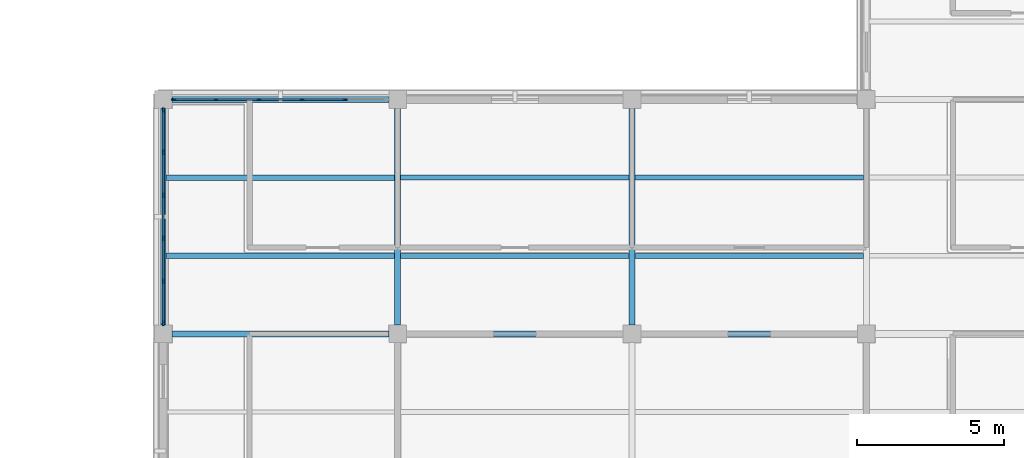
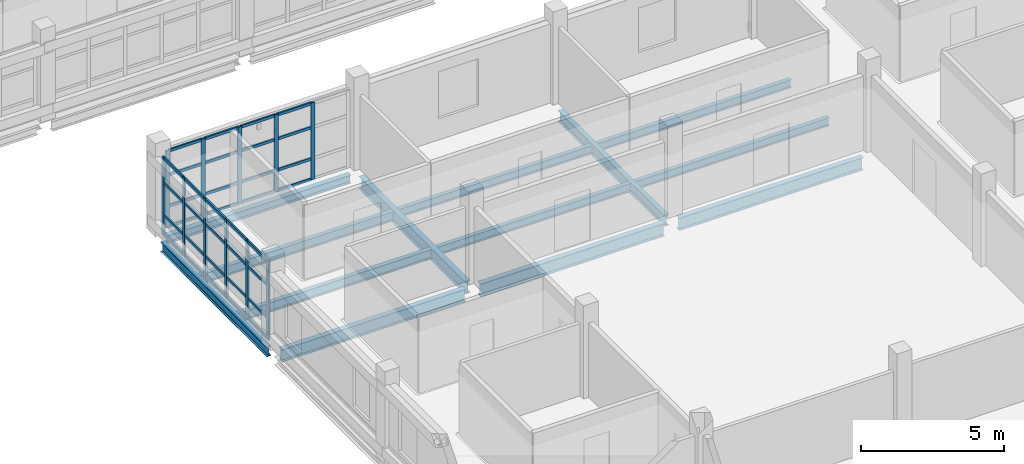
# One storey, part 49 of 126: 47 members, 13 beams, 2 elements without a shape of their own.
"""IFC4 building model written with IfcOpenShell, lengths in metres."""

import ifcopenshell
import ifcopenshell.guid

model = None  # the IFC model being written
_history = None  # IfcOwnerHistory: only IFC2X3 demands one
_inside = {}  # id of a spatial element -> (the spatial element, [elements in it])
_under = {}  # id of a project, library or spatial element -> (it, [spatial elements below it])
_declared = {}  # id of a project -> (the project, [libraries it declares])
_typed = {}  # id of a type object -> (the type object, [elements of that type])
_made_of = {}  # id of a material, layer set ... -> (it, [elements and type objects made of it])


def new_model(schema):
    """Start an empty IFC model of exactly this schema.

    Asked for "IFC4X3", IfcOpenShell would pick the latest addendum, in which some entities
    have other attributes; the version numbers below select the first issue.
    IFC2X3 requires an IfcOwnerHistory on every rooted entity: one is made here for all.
    """
    global model, _history
    if schema == "IFC4X3":
        model = ifcopenshell.file(schema_version=(4, 3, 0, 0))
    else:
        model = ifcopenshell.file(schema=schema)
    _inside.clear()
    _under.clear()
    _declared.clear()
    _typed.clear()
    _made_of.clear()
    _history = None
    if model.schema == "IFC2X3":
        org = make("IfcOrganization", Name="unknown")
        user = make(
            "IfcPersonAndOrganization",
            ThePerson=make("IfcPerson", FamilyName="unknown"),
            TheOrganization=org,
        )
        app = make(
            "IfcApplication",
            ApplicationDeveloper=org,
            Version="unknown",
            ApplicationFullName="unknown",
            ApplicationIdentifier="unknown",
        )
        _history = make(
            "IfcOwnerHistory",
            OwningUser=user,
            OwningApplication=app,
            ChangeAction="ADDED",
            CreationDate=0,
        )
    return model


def make(cls, **values):
    """One entity of the class cls with the attributes given. An attribute that is None is left unset."""
    return model.create_entity(
        cls, **{name: value for name, value in values.items() if value is not None}
    )


def rooted(cls, **values):
    """An entity with a GlobalId (a new one), such as an element, a storey or a relation."""
    return make(cls, GlobalId=ifcopenshell.guid.new(), OwnerHistory=_history, **values)


def si_unit(unit_type, name, prefix=None):
    """IfcSIUnit, for example si_unit("LENGTHUNIT", "METRE", prefix="MILLI")."""
    return make("IfcSIUnit", UnitType=unit_type, Prefix=prefix, Name=name)


def derived_unit(unit_type, elements):
    """IfcDerivedUnit: a product of units, each with its exponent."""
    return make(
        "IfcDerivedUnit",
        Elements=[
            make("IfcDerivedUnitElement", Unit=unit, Exponent=power)
            for unit, power in elements
        ],
        UnitType=unit_type,
    )


def assignment(units):
    """IfcUnitAssignment: the units of a project."""
    return None if units is None else make("IfcUnitAssignment", Units=units)


def point(xyz):
    """IfcCartesianPoint."""
    return None if xyz is None else make("IfcCartesianPoint", Coordinates=xyz)


def direction(xyz):
    """IfcDirection."""
    return None if xyz is None else make("IfcDirection", DirectionRatios=xyz)


def frame(location, z_axis=None, x_axis=None):
    """IfcAxis2Placement3D, a coordinate frame: its origin and axes. An axis left out is left unset."""
    return make(
        "IfcAxis2Placement3D",
        Location=point(location),
        Axis=direction(z_axis),
        RefDirection=direction(x_axis),
    )


def frame_2d(location, x_axis=None):
    """IfcAxis2Placement2D, a coordinate frame in the plane: its origin and x axis."""
    return make(
        "IfcAxis2Placement2D", Location=point(location), RefDirection=direction(x_axis)
    )


def origin():
    """The frame at (0, 0, 0) with its axes left unset."""
    return frame((0.0, 0.0, 0.0))


def origin_2d():
    """The frame at (0, 0) in the plane with its x axis left unset."""
    return frame_2d((0.0, 0.0))


def place(relative_to, where):
    """IfcLocalPlacement: puts the frame where relative to a parent placement (None: the world)."""
    return make(
        "IfcLocalPlacement", PlacementRelTo=relative_to, RelativePlacement=where
    )


def context(
    kind, dimensions, precision=None, world=None, true_north=None, identifier=None
):
    """IfcGeometricRepresentationContext, for example the 3D "Model" context."""
    return make(
        "IfcGeometricRepresentationContext",
        ContextIdentifier=identifier,
        ContextType=kind,
        CoordinateSpaceDimension=dimensions,
        Precision=precision,
        WorldCoordinateSystem=world,
        TrueNorth=true_north,
    )


def subcontext(parent, identifier, kind, view, scale=None):
    """IfcGeometricRepresentationSubContext, for example "Body" below "Model"."""
    return make(
        "IfcGeometricRepresentationSubContext",
        ContextIdentifier=identifier,
        ContextType=kind,
        ParentContext=parent,
        TargetScale=scale,
        TargetView=view,
    )


def project(units=None, contexts=None):
    """IfcProject with its units and contexts."""
    return rooted(
        "IfcProject",
        Name="project",
        RepresentationContexts=contexts,
        UnitsInContext=assignment(units),
    )


def spatial(cls, under=None, at=None, **own):
    """A site, building, storey or space (cls), placed at a placement, below another one or the project."""
    s = rooted(cls, ObjectPlacement=at, **own)
    if under is not None:
        _under.setdefault(under.id(), (under, []))[1].append(s)
    return s


def profile(cls, at=None, kind="AREA", **sizes):
    """A parametric profile (cls). Its sizes go by their IFC names, for example OverallWidth=200.0."""
    return make(cls, ProfileType=kind, Position=at, **sizes)


def rectangle(**sizes):
    """IfcRectangleProfileDef."""
    return profile("IfcRectangleProfileDef", **sizes)


def i_section(**sizes):
    """IfcIShapeProfileDef."""
    return profile("IfcIShapeProfileDef", **sizes)


def extrude(swept, where, along, depth):
    """IfcExtrudedAreaSolid: the profile swept, set in the frame where, extruded along a direction by depth."""
    return make(
        "IfcExtrudedAreaSolid",
        SweptArea=swept,
        Position=where,
        ExtrudedDirection=direction(along),
        Depth=depth,
    )


def shape(context_of_items, identifier, shape_type, items):
    """IfcShapeRepresentation: the items that make up one representation, for example the "Body"."""
    return make(
        "IfcShapeRepresentation",
        ContextOfItems=context_of_items,
        RepresentationIdentifier=identifier,
        RepresentationType=shape_type,
        Items=items,
    )


def material(Name=None, Category=None):
    """IfcMaterial."""
    return make("IfcMaterial", Name=Name, Category=Category)


def layer(
    of_material, thickness, ventilated=None, Name=None, Category=None, Priority=None
):
    """IfcMaterialLayer: one layer of a wall or slab, of a material (None: an air gap)."""
    return make(
        "IfcMaterialLayer",
        Material=of_material,
        LayerThickness=thickness,
        IsVentilated=ventilated,
        Name=Name,
        Category=Category,
        Priority=Priority,
    )


def layer_set(layers, Name=None):
    """IfcMaterialLayerSet."""
    return make("IfcMaterialLayerSet", MaterialLayers=layers, LayerSetName=Name)


def material_profile(
    of_material, cross_section, Name=None, Category=None, Priority=None
):
    """IfcMaterialProfile: a cross section and its material."""
    return make(
        "IfcMaterialProfile",
        Name=Name,
        Material=of_material,
        Profile=cross_section,
        Priority=Priority,
        Category=Category,
    )


def profile_set(profiles, Name=None, composite=None):
    """IfcMaterialProfileSet."""
    return make(
        "IfcMaterialProfileSet",
        Name=Name,
        MaterialProfiles=profiles,
        CompositeProfile=composite,
    )


def made_of(thing, what):
    """Note that an element or type object is made of a material, layer set ...; save() writes the relation."""
    if what is not None:
        _made_of.setdefault(what.id(), (what, []))[1].append(thing)
    return thing


def type_object(cls, material=None, **own):
    """A type object (cls), such as IfcWallType, which elements share."""
    return made_of(rooted(cls, **own), material)


def element(
    cls,
    number,
    at=None,
    inside=None,
    cuts=None,
    type_object=None,
    material=None,
    context=None,
    identifier="Body",
    shape_type=None,
    held_by="IfcProductDefinitionShape",
    body=None,
    shapes=None,
    **own,
):
    """One element of the class cls, such as IfcWall. Its Tag is "e" and its number.

    at: its placement. inside: the storey or other place that contains it. cuts: it is an
    opening in that element (IfcRelVoidsElement). A single representation is given by context,
    identifier, shape_type and body (its items); several are given by shapes. held_by: the class
    of the entity that holds the representations. save() writes the other relations.
    """
    e = rooted(cls, Tag="e%d" % number, ObjectPlacement=at, **own)
    if body is not None:
        shapes = [shape(context, identifier, shape_type, body)]
    if shapes is not None:
        e.Representation = make(held_by, Representations=shapes)
    if inside is not None:
        _inside.setdefault(inside.id(), (inside, []))[1].append(e)
    if cuts is not None:
        rooted(
            "IfcRelVoidsElement", RelatingBuildingElement=cuts, RelatedOpeningElement=e
        )
    if type_object is not None:
        _typed.setdefault(type_object.id(), (type_object, []))[1].append(e)
    return made_of(e, material)


def aggregate(whole, parts):
    """IfcRelAggregates: a whole, such as a stair, and the parts it consists of."""
    return rooted("IfcRelAggregates", RelatingObject=whole, RelatedObjects=parts)


def save(model, path):
    """Write the relations noted so far, then the file.

    IfcRelAggregates (storeys below a building ...), IfcRelContainedInSpatialStructure (elements
    in a storey), IfcRelDefinesByType, IfcRelAssociatesMaterial and IfcRelDeclares: one each for
    every whole, place, type object, material and project.
    """
    for whole, parts in _under.values():
        aggregate(whole, parts)
    for where, things in _inside.values():
        rooted(
            "IfcRelContainedInSpatialStructure",
            RelatedElements=things,
            RelatingStructure=where,
        )
    for kind, things in _typed.values():
        rooted("IfcRelDefinesByType", RelatedObjects=things, RelatingType=kind)
    for what, things in _made_of.values():
        rooted("IfcRelAssociatesMaterial", RelatedObjects=things, RelatingMaterial=what)
    for by, libraries in _declared.values():
        rooted("IfcRelDeclares", RelatingContext=by, RelatedDefinitions=libraries)
    model.write(path)


model = new_model("IFC4")

# Units and contexts
model_context = context("Model", 3, precision=1e-05, world=origin(), true_north=direction((0.0, 1.0)))
body_context = subcontext(model_context, "Body", "Model", "MODEL_VIEW")
ifc_project = project(units=[si_unit("LENGTHUNIT", "METRE"), si_unit("AREAUNIT", "SQUARE_METRE"), si_unit("VOLUMEUNIT", "CUBIC_METRE"), si_unit("PLANEANGLEUNIT", "RADIAN"), si_unit("MASSUNIT", "GRAM", prefix="KILO"), derived_unit("THERMALTRANSMITTANCEUNIT", [(si_unit("MASSUNIT", "GRAM", prefix="KILO"), 1), (si_unit("TIMEUNIT", "SECOND"), -3), (si_unit("THERMODYNAMICTEMPERATUREUNIT", "KELVIN"), -1)])], contexts=[model_context])

# Site, building, storey
site_placement = place(None, origin())
site = spatial("IfcSite", under=ifc_project, at=site_placement, CompositionType="ELEMENT")
building_placement = place(site_placement, origin())
building = spatial("IfcBuilding", under=site, at=building_placement, Name="Veyamyaing Civic Hall", CompositionType="ELEMENT")
storey_placement = place(building_placement, frame((0.0, 0.0, 9.89990234375)))
storey = spatial("IfcBuildingStorey", under=building, at=storey_placement, Name="L02", CompositionType="ELEMENT", Elevation=9.89990234375)

# Beams
ifc_material_1 = material(Name="Steel ASTM A992", Category="steel")
ifc_material_profile_1 = material_profile(ifc_material_1, i_section(OverallWidth=0.208984375, OverallDepth=0.532958984375, WebThickness=0.01025390625, FlangeThickness=0.015625, FilletRadius=0.011962890625, at=origin_2d()), Name="W530X92")
ifc_profile_set_1 = profile_set([ifc_material_profile_1], Name="Steel ASTM A992")
beam_type_1 = type_object("IfcBeamType", Name="B-07", PredefinedType="BEAM", material=ifc_profile_set_1)
beam_1_placement = place(storey_placement, frame((136.300048828125, 32.0, -0.551513671875), z_axis=(1.0, 0.0, 0.0), x_axis=(0.0, 1.0, 0.0)))
element("IfcBeam", 1, at=beam_1_placement, inside=storey, type_object=beam_type_1, Name="Girder B-07 L02 Grid E 18-19", PredefinedType="BEAM", context=body_context, shape_type="SweptSolid", body=[
    extrude(i_section(OverallWidth=0.208984375, OverallDepth=0.532958984375, WebThickness=0.01025390625, FlangeThickness=0.015625, FilletRadius=0.011962890625, at=origin_2d()), origin(), (0.0, 0.0, 1.0), 7.39990234375),
])
ifc_material_profile_2 = material_profile(ifc_material_1, i_section(OverallWidth=0.179931640625, OverallDepth=0.4130859375, WebThickness=0.009765625, FlangeThickness=0.01611328125, FilletRadius=0.010009765625, at=origin_2d()), Name="W410X74")
ifc_profile_set_2 = profile_set([ifc_material_profile_2], Name="Steel ASTM A992")
beam_type_2 = type_object("IfcBeamType", Name="B-10", PredefinedType="SPANDREL", material=ifc_profile_set_2)
beam_2_placement = place(storey_placement, frame((136.0, 32.300048828125, -0.491455078125), z_axis=(0.0, 1.0, 0.0), x_axis=(-1.0, 0.0, 0.0)))
element("IfcBeam", 2, at=beam_2_placement, inside=storey, type_object=beam_type_2, Name="Girder B-10 L02 Grid 18 E-F", PredefinedType="SPANDREL", context=body_context, shape_type="SweptSolid", body=[
    extrude(i_section(OverallWidth=0.179931640625, OverallDepth=0.4130859375, WebThickness=0.009765625, FlangeThickness=0.01611328125, FilletRadius=0.010009765625, at=origin_2d()), origin(), (0.0, 0.0, 1.0), 7.39990234375),
])
ifc_material_profile_3 = material_profile(ifc_material_1, i_section(OverallWidth=0.2041015625, OverallDepth=0.35009765625, WebThickness=0.0078125, FlangeThickness=0.01513671875, FilletRadius=0.010009765625, at=origin_2d()), Name="W360X72")
ifc_profile_set_3 = profile_set([ifc_material_profile_3], Name="Steel ASTM A992")
beam_type_3 = type_object("IfcBeamType", Name="B-11", PredefinedType="SPANDREL", material=ifc_profile_set_3)
beam_3_placement = place(storey_placement, frame((136.300048828125, 40.0, -0.4599609375), z_axis=(1.0, 0.0, 0.0), x_axis=(0.0, 1.0, 0.0)))
element("IfcBeam", 3, at=beam_3_placement, inside=storey, type_object=beam_type_3, Name="Girder B-11 L02 Grid F 18-19", PredefinedType="SPANDREL", context=body_context, shape_type="SweptSolid", body=[
    extrude(i_section(OverallWidth=0.2041015625, OverallDepth=0.35009765625, WebThickness=0.0078125, FlangeThickness=0.01513671875, FilletRadius=0.010009765625, at=origin_2d()), origin(), (0.0, 0.0, 1.0), 7.39990234375),
])
ifc_material_profile_4 = material_profile(ifc_material_1, i_section(OverallWidth=0.214111328125, OverallDepth=0.549072265625, WebThickness=0.0146484375, FlangeThickness=0.023681640625, FilletRadius=0.011962890625, at=origin_2d()), Name="W530X138")
ifc_profile_set_4 = profile_set([ifc_material_profile_4], Name="Steel ASTM A992")
beam_type_4 = type_object("IfcBeamType", Name="B-16", PredefinedType="BEAM", material=ifc_profile_set_4)
beam_4_placement = place(storey_placement, frame((144.300048828125, 32.0, -0.559326171875), z_axis=(1.0, 0.0, 0.0), x_axis=(0.0, 1.0, 0.0)))
element("IfcBeam", 4, at=beam_4_placement, inside=storey, type_object=beam_type_4, Name="Girder B-16 L02 Grid E 19-20", PredefinedType="BEAM", context=body_context, shape_type="SweptSolid", body=[
    extrude(i_section(OverallWidth=0.214111328125, OverallDepth=0.549072265625, WebThickness=0.0146484375, FlangeThickness=0.023681640625, FilletRadius=0.011962890625, at=origin_2d()), origin(), (0.0, 0.0, 1.0), 7.39990234375),
])
ifc_material_profile_5 = material_profile(ifc_material_1, i_section(OverallWidth=0.2109375, OverallDepth=0.5390625, WebThickness=0.01171875, FlangeThickness=0.018798828125, FilletRadius=0.011962890625, at=origin_2d()), Name="W530X109")
ifc_profile_set_5 = profile_set([ifc_material_profile_5], Name="Steel ASTM A992")
beam_type_5 = type_object("IfcBeamType", Name="B-17", PredefinedType="BEAM", material=ifc_profile_set_5)
for number, where, z_axis, x_axis, name in (
    (5, (152.300048828125, 32.0, -0.554443359375), (1.0, 0.0, 0.0), (0.0, 1.0, 0.0), "Girder B-17 L02 Grid E 20-21"),
    (6, (144.0, 32.300048828125, -0.554443359375), (0.0, 1.0, 0.0), (-1.0, 0.0, 0.0), "Girder B-17 L02 Grid 19 E-F"),
):
    element("IfcBeam", number, at=place(storey_placement, frame(where, z_axis=z_axis, x_axis=x_axis)), inside=storey, type_object=beam_type_5, Name=name, PredefinedType="BEAM", context=body_context, shape_type="SweptSolid", body=[
        extrude(i_section(OverallWidth=0.2109375, OverallDepth=0.5390625, WebThickness=0.01171875, FlangeThickness=0.018798828125, FilletRadius=0.011962890625, at=origin_2d()), origin(), (0.0, 0.0, 1.0), 7.39990234375),
    ])
ifc_material_profile_6 = material_profile(ifc_material_1, i_section(OverallWidth=0.194091796875, OverallDepth=0.468994140625, WebThickness=0.0126953125, FlangeThickness=0.0205078125, FilletRadius=0.010009765625, at=origin_2d()), Name="W460X106")
ifc_profile_set_6 = profile_set([ifc_material_profile_6], Name="Steel ASTM A992")
beam_type_6 = type_object("IfcBeamType", Name="B-18", PredefinedType="BEAM", material=ifc_profile_set_6)
beam_5_placement = place(storey_placement, frame((152.0, 32.300048828125, -0.519287109375), z_axis=(0.0, 1.0, 0.0), x_axis=(-1.0, 0.0, 0.0)))
element("IfcBeam", 7, at=beam_5_placement, inside=storey, type_object=beam_type_6, Name="Girder B-18 L02 Grid 20 E-F", PredefinedType="BEAM", context=body_context, shape_type="SweptSolid", body=[
    extrude(i_section(OverallWidth=0.194091796875, OverallDepth=0.468994140625, WebThickness=0.0126953125, FlangeThickness=0.0205078125, FilletRadius=0.010009765625, at=origin_2d()), origin(), (0.0, 0.0, 1.0), 7.39990234375),
])

# Curtain wall, members
ifc_material_2 = material(Name="Anodised aluminium 6063-T6", Category="aluminium")
ifc_layer = layer(ifc_material_2, 0.159912109375, Name="Anodised aluminium 6063-T6")
ifc_layer_set = layer_set([ifc_layer], Name="Anodised aluminium 6063-T6")
curtain_wall_type = type_object("IfcCurtainWallType", Name="CW-03", PredefinedType="NOTDEFINED", material=ifc_layer_set)
curtain_wall_1_placement = place(storey_placement, origin())
curtain_wall_1 = element("IfcCurtainWall", 8, at=curtain_wall_1_placement, inside=storey, type_object=curtain_wall_type, Name="Unitized curtain wall CW-03 L02 N 18.5", PredefinedType="NOTDEFINED")
ifc_material_profile_7 = material_profile(ifc_material_2, rectangle(XDim=0.06494140625, YDim=0.159912109375, at=origin_2d()), Name="ALU-MUL-65X160")
ifc_profile_set_7 = profile_set([ifc_material_profile_7], Name="Anodised aluminium 6063-T6")
member_type_1 = type_object("IfcMemberType", Name="CWM-01", PredefinedType="MULLION", material=ifc_profile_set_7)
member_1_placement = place(storey_placement, frame((136.362548828125, 40.0, 0.0), z_axis=(0.0, 0.0, 1.0), x_axis=(0.0, 1.0, 0.0)))
member_1 = element("IfcMember", 9, at=member_1_placement, type_object=member_type_1, Name="CW-03 mullion 1", PredefinedType="MULLION", context=body_context, shape_type="SweptSolid", body=[
    extrude(rectangle(XDim=0.06494140625, YDim=0.159912109375, at=origin_2d()), origin(), (0.0, 0.0, 1.0), 3.280029296875),
])
member_2_placement = place(storey_placement, frame((137.798095703125, 40.0, 0.0), z_axis=(0.0, 0.0, 1.0), x_axis=(0.0, 1.0, 0.0)))
member_2 = element("IfcMember", 10, at=member_2_placement, type_object=member_type_1, Name="CW-03 mullion 2", PredefinedType="MULLION", context=body_context, shape_type="SweptSolid", body=[
    extrude(rectangle(XDim=0.06494140625, YDim=0.159912109375, at=origin_2d()), origin(), (0.0, 0.0, 1.0), 3.280029296875),
])
member_3_placement = place(storey_placement, frame((139.26611328125, 40.0, 0.0), z_axis=(0.0, 0.0, 1.0), x_axis=(0.0, 1.0, 0.0)))
member_3 = element("IfcMember", 11, at=member_3_placement, type_object=member_type_1, Name="CW-03 mullion 3", PredefinedType="MULLION", context=body_context, shape_type="SweptSolid", body=[
    extrude(rectangle(XDim=0.06494140625, YDim=0.159912109375, at=origin_2d()), origin(), (0.0, 0.0, 1.0), 3.280029296875),
])
member_4_placement = place(storey_placement, frame((140.73388671875, 40.0, 0.0), z_axis=(0.0, 0.0, 1.0), x_axis=(0.0, 1.0, 0.0)))
member_4 = element("IfcMember", 12, at=member_4_placement, type_object=member_type_1, Name="CW-03 mullion 4", PredefinedType="MULLION", context=body_context, shape_type="SweptSolid", body=[
    extrude(rectangle(XDim=0.06494140625, YDim=0.159912109375, at=origin_2d()), origin(), (0.0, 0.0, 1.0), 3.280029296875),
])
member_5_placement = place(storey_placement, frame((142.201904296875, 40.0, 0.0), z_axis=(0.0, 0.0, 1.0), x_axis=(0.0, 1.0, 0.0)))
member_5 = element("IfcMember", 13, at=member_5_placement, type_object=member_type_1, Name="CW-03 mullion 5", PredefinedType="MULLION", context=body_context, shape_type="SweptSolid", body=[
    extrude(rectangle(XDim=0.06494140625, YDim=0.159912109375, at=origin_2d()), origin(), (0.0, 0.0, 1.0), 3.280029296875),
])

curtain_wall_2_placement = place(storey_placement, origin())
curtain_wall_2 = element("IfcCurtainWall", 14, at=curtain_wall_2_placement, inside=storey, type_object=curtain_wall_type, Name="Unitized curtain wall CW-03 L02 W 18.5", PredefinedType="NOTDEFINED")
member_6_placement = place(storey_placement, frame((136.0, 32.362548828125, 0.0), z_axis=(0.0, 0.0, 1.0), x_axis=(-1.0, 0.0, 0.0)))
member_6 = element("IfcMember", 15, at=member_6_placement, type_object=member_type_1, Name="CW-03 mullion 1", PredefinedType="MULLION", context=body_context, shape_type="SweptSolid", body=[
    extrude(rectangle(XDim=0.06494140625, YDim=0.159912109375, at=origin_2d()), origin(), (0.0, 0.0, 1.0), 3.34716796875),
])
member_7_placement = place(storey_placement, frame((136.0, 33.798095703125, 0.0), z_axis=(0.0, 0.0, 1.0), x_axis=(-1.0, 0.0, 0.0)))
member_7 = element("IfcMember", 16, at=member_7_placement, type_object=member_type_1, Name="CW-03 mullion 2", PredefinedType="MULLION", context=body_context, shape_type="SweptSolid", body=[
    extrude(rectangle(XDim=0.06494140625, YDim=0.159912109375, at=origin_2d()), origin(), (0.0, 0.0, 1.0), 3.34716796875),
])
member_8_placement = place(storey_placement, frame((136.0, 35.26611328125, 0.0), z_axis=(0.0, 0.0, 1.0), x_axis=(-1.0, 0.0, 0.0)))
member_8 = element("IfcMember", 17, at=member_8_placement, type_object=member_type_1, Name="CW-03 mullion 3", PredefinedType="MULLION", context=body_context, shape_type="SweptSolid", body=[
    extrude(rectangle(XDim=0.06494140625, YDim=0.159912109375, at=origin_2d()), origin(), (0.0, 0.0, 1.0), 3.34716796875),
])
member_9_placement = place(storey_placement, frame((136.0, 36.73388671875, 0.0), z_axis=(0.0, 0.0, 1.0), x_axis=(-1.0, 0.0, 0.0)))
member_9 = element("IfcMember", 18, at=member_9_placement, type_object=member_type_1, Name="CW-03 mullion 4", PredefinedType="MULLION", context=body_context, shape_type="SweptSolid", body=[
    extrude(rectangle(XDim=0.06494140625, YDim=0.159912109375, at=origin_2d()), origin(), (0.0, 0.0, 1.0), 3.34716796875),
])
member_10_placement = place(storey_placement, frame((136.0, 38.201904296875, 0.0), z_axis=(0.0, 0.0, 1.0), x_axis=(-1.0, 0.0, 0.0)))
member_10 = element("IfcMember", 19, at=member_10_placement, type_object=member_type_1, Name="CW-03 mullion 5", PredefinedType="MULLION", context=body_context, shape_type="SweptSolid", body=[
    extrude(rectangle(XDim=0.06494140625, YDim=0.159912109375, at=origin_2d()), origin(), (0.0, 0.0, 1.0), 3.34716796875),
])
member_11_placement = place(storey_placement, frame((136.0, 39.637451171875, 0.0), z_axis=(0.0, 0.0, 1.0), x_axis=(-1.0, 0.0, 0.0)))
member_11 = element("IfcMember", 20, at=member_11_placement, type_object=member_type_1, Name="CW-03 mullion 6", PredefinedType="MULLION", context=body_context, shape_type="SweptSolid", body=[
    extrude(rectangle(XDim=0.06494140625, YDim=0.159912109375, at=origin_2d()), origin(), (0.0, 0.0, 1.0), 3.34716796875),
])

# Member
ifc_material_profile_8 = material_profile(ifc_material_2, rectangle(XDim=0.06494140625, YDim=0.1201171875, at=origin_2d()), Name="ALU-TRN-65X120")
ifc_profile_set_8 = profile_set([ifc_material_profile_8], Name="Anodised aluminium 6063-T6")
member_type_2 = type_object("IfcMemberType", Name="CWT-01", PredefinedType="USERDEFINED", material=ifc_profile_set_8)
member_12_placement = place(storey_placement, frame((136.39501953125, 40.0, 0.03271484375), z_axis=(1.0, 0.0, 0.0), x_axis=(0.0, 1.0, 0.0)))
member_12 = element("IfcMember", 21, at=member_12_placement, type_object=member_type_2, Name="CW-03 transom 1.1", ObjectType="TRANSOM", PredefinedType="USERDEFINED", context=body_context, shape_type="SweptSolid", body=[
    extrude(rectangle(XDim=0.06494140625, YDim=0.1201171875, at=origin_2d()), origin(), (0.0, 0.0, 1.0), 1.370361328125),
])

member_13_placement = place(storey_placement, frame((136.39501953125, 40.0, 0.900146484375), z_axis=(1.0, 0.0, 0.0), x_axis=(0.0, 1.0, 0.0)))
member_13 = element("IfcMember", 22, at=member_13_placement, type_object=member_type_2, Name="CW-03 transom 1.2", ObjectType="TRANSOM", PredefinedType="USERDEFINED", context=body_context, shape_type="SweptSolid", body=[
    extrude(rectangle(XDim=0.06494140625, YDim=0.1201171875, at=origin_2d()), origin(), (0.0, 0.0, 1.0), 1.370361328125),
])

member_14_placement = place(storey_placement, frame((136.39501953125, 40.0, 2.23046875), z_axis=(1.0, 0.0, 0.0), x_axis=(0.0, 1.0, 0.0)))
member_14 = element("IfcMember", 23, at=member_14_placement, type_object=member_type_2, Name="CW-03 transom 1.3", ObjectType="TRANSOM", PredefinedType="USERDEFINED", context=body_context, shape_type="SweptSolid", body=[
    extrude(rectangle(XDim=0.06494140625, YDim=0.1201171875, at=origin_2d()), origin(), (0.0, 0.0, 1.0), 1.370361328125),
])

member_15_placement = place(storey_placement, frame((136.39501953125, 40.0, 3.24755859375), z_axis=(1.0, 0.0, 0.0), x_axis=(0.0, 1.0, 0.0)))
member_15 = element("IfcMember", 24, at=member_15_placement, type_object=member_type_2, Name="CW-03 transom 1.4", ObjectType="TRANSOM", PredefinedType="USERDEFINED", context=body_context, shape_type="SweptSolid", body=[
    extrude(rectangle(XDim=0.06494140625, YDim=0.1201171875, at=origin_2d()), origin(), (0.0, 0.0, 1.0), 1.370361328125),
])

member_16_placement = place(storey_placement, frame((137.83056640625, 40.0, 0.03271484375), z_axis=(1.0, 0.0, 0.0), x_axis=(0.0, 1.0, 0.0)))
member_16 = element("IfcMember", 25, at=member_16_placement, type_object=member_type_2, Name="CW-03 transom 2.1", ObjectType="TRANSOM", PredefinedType="USERDEFINED", context=body_context, shape_type="SweptSolid", body=[
    extrude(rectangle(XDim=0.06494140625, YDim=0.1201171875, at=origin_2d()), origin(), (0.0, 0.0, 1.0), 1.40283203125),
])

member_17_placement = place(storey_placement, frame((137.83056640625, 40.0, 0.900146484375), z_axis=(1.0, 0.0, 0.0), x_axis=(0.0, 1.0, 0.0)))
member_17 = element("IfcMember", 26, at=member_17_placement, type_object=member_type_2, Name="CW-03 transom 2.2", ObjectType="TRANSOM", PredefinedType="USERDEFINED", context=body_context, shape_type="SweptSolid", body=[
    extrude(rectangle(XDim=0.06494140625, YDim=0.1201171875, at=origin_2d()), origin(), (0.0, 0.0, 1.0), 1.40283203125),
])

member_18_placement = place(storey_placement, frame((137.83056640625, 40.0, 2.23046875), z_axis=(1.0, 0.0, 0.0), x_axis=(0.0, 1.0, 0.0)))
member_18 = element("IfcMember", 27, at=member_18_placement, type_object=member_type_2, Name="CW-03 transom 2.3", ObjectType="TRANSOM", PredefinedType="USERDEFINED", context=body_context, shape_type="SweptSolid", body=[
    extrude(rectangle(XDim=0.06494140625, YDim=0.1201171875, at=origin_2d()), origin(), (0.0, 0.0, 1.0), 1.40283203125),
])

member_19_placement = place(storey_placement, frame((137.83056640625, 40.0, 3.24755859375), z_axis=(1.0, 0.0, 0.0), x_axis=(0.0, 1.0, 0.0)))
member_19 = element("IfcMember", 28, at=member_19_placement, type_object=member_type_2, Name="CW-03 transom 2.4", ObjectType="TRANSOM", PredefinedType="USERDEFINED", context=body_context, shape_type="SweptSolid", body=[
    extrude(rectangle(XDim=0.06494140625, YDim=0.1201171875, at=origin_2d()), origin(), (0.0, 0.0, 1.0), 1.40283203125),
])

member_20_placement = place(storey_placement, frame((139.298583984375, 40.0, 0.03271484375), z_axis=(1.0, 0.0, 0.0), x_axis=(0.0, 1.0, 0.0)))
member_20 = element("IfcMember", 29, at=member_20_placement, type_object=member_type_2, Name="CW-03 transom 3.1", ObjectType="TRANSOM", PredefinedType="USERDEFINED", context=body_context, shape_type="SweptSolid", body=[
    extrude(rectangle(XDim=0.06494140625, YDim=0.1201171875, at=origin_2d()), origin(), (0.0, 0.0, 1.0), 1.40283203125),
])

member_21_placement = place(storey_placement, frame((139.298583984375, 40.0, 0.900146484375), z_axis=(1.0, 0.0, 0.0), x_axis=(0.0, 1.0, 0.0)))
member_21 = element("IfcMember", 30, at=member_21_placement, type_object=member_type_2, Name="CW-03 transom 3.2", ObjectType="TRANSOM", PredefinedType="USERDEFINED", context=body_context, shape_type="SweptSolid", body=[
    extrude(rectangle(XDim=0.06494140625, YDim=0.1201171875, at=origin_2d()), origin(), (0.0, 0.0, 1.0), 1.40283203125),
])

member_22_placement = place(storey_placement, frame((139.298583984375, 40.0, 2.23046875), z_axis=(1.0, 0.0, 0.0), x_axis=(0.0, 1.0, 0.0)))
member_22 = element("IfcMember", 31, at=member_22_placement, type_object=member_type_2, Name="CW-03 transom 3.3", ObjectType="TRANSOM", PredefinedType="USERDEFINED", context=body_context, shape_type="SweptSolid", body=[
    extrude(rectangle(XDim=0.06494140625, YDim=0.1201171875, at=origin_2d()), origin(), (0.0, 0.0, 1.0), 1.40283203125),
])

member_23_placement = place(storey_placement, frame((139.298583984375, 40.0, 3.24755859375), z_axis=(1.0, 0.0, 0.0), x_axis=(0.0, 1.0, 0.0)))
member_23 = element("IfcMember", 32, at=member_23_placement, type_object=member_type_2, Name="CW-03 transom 3.4", ObjectType="TRANSOM", PredefinedType="USERDEFINED", context=body_context, shape_type="SweptSolid", body=[
    extrude(rectangle(XDim=0.06494140625, YDim=0.1201171875, at=origin_2d()), origin(), (0.0, 0.0, 1.0), 1.40283203125),
])

member_24_placement = place(storey_placement, frame((140.7666015625, 40.0, 0.03271484375), z_axis=(1.0, 0.0, 0.0), x_axis=(0.0, 1.0, 0.0)))
member_24 = element("IfcMember", 33, at=member_24_placement, type_object=member_type_2, Name="CW-03 transom 4.1", ObjectType="TRANSOM", PredefinedType="USERDEFINED", context=body_context, shape_type="SweptSolid", body=[
    extrude(rectangle(XDim=0.06494140625, YDim=0.1201171875, at=origin_2d()), origin(), (0.0, 0.0, 1.0), 1.40283203125),
])

member_25_placement = place(storey_placement, frame((140.7666015625, 40.0, 0.900146484375), z_axis=(1.0, 0.0, 0.0), x_axis=(0.0, 1.0, 0.0)))
member_25 = element("IfcMember", 34, at=member_25_placement, type_object=member_type_2, Name="CW-03 transom 4.2", ObjectType="TRANSOM", PredefinedType="USERDEFINED", context=body_context, shape_type="SweptSolid", body=[
    extrude(rectangle(XDim=0.06494140625, YDim=0.1201171875, at=origin_2d()), origin(), (0.0, 0.0, 1.0), 1.40283203125),
])

member_26_placement = place(storey_placement, frame((140.7666015625, 40.0, 2.23046875), z_axis=(1.0, 0.0, 0.0), x_axis=(0.0, 1.0, 0.0)))
member_26 = element("IfcMember", 35, at=member_26_placement, type_object=member_type_2, Name="CW-03 transom 4.3", ObjectType="TRANSOM", PredefinedType="USERDEFINED", context=body_context, shape_type="SweptSolid", body=[
    extrude(rectangle(XDim=0.06494140625, YDim=0.1201171875, at=origin_2d()), origin(), (0.0, 0.0, 1.0), 1.40283203125),
])

member_27_placement = place(storey_placement, frame((140.7666015625, 40.0, 3.24755859375), z_axis=(1.0, 0.0, 0.0), x_axis=(0.0, 1.0, 0.0)))
member_27 = element("IfcMember", 36, at=member_27_placement, type_object=member_type_2, Name="CW-03 transom 4.4", ObjectType="TRANSOM", PredefinedType="USERDEFINED", context=body_context, shape_type="SweptSolid", body=[
    extrude(rectangle(XDim=0.06494140625, YDim=0.1201171875, at=origin_2d()), origin(), (0.0, 0.0, 1.0), 1.40283203125),
])

aggregate(curtain_wall_1, [member_1, member_2, member_3, member_4, member_5, member_12, member_13, member_14, member_15, member_16, member_17, member_18, member_19, member_20, member_21, member_22, member_23, member_24, member_25, member_26, member_27])

member_28_placement = place(storey_placement, frame((136.0, 32.39501953125, 0.03271484375), z_axis=(0.0, 1.0, 0.0), x_axis=(-1.0, 0.0, 0.0)))
member_28 = element("IfcMember", 37, at=member_28_placement, type_object=member_type_2, Name="CW-03 transom 1.1", ObjectType="TRANSOM", PredefinedType="USERDEFINED", context=body_context, shape_type="SweptSolid", body=[
    extrude(rectangle(XDim=0.06494140625, YDim=0.1201171875, at=origin_2d()), origin(), (0.0, 0.0, 1.0), 1.370361328125),
])

member_29_placement = place(storey_placement, frame((136.0, 32.39501953125, 0.900146484375), z_axis=(0.0, 1.0, 0.0), x_axis=(-1.0, 0.0, 0.0)))
member_29 = element("IfcMember", 38, at=member_29_placement, type_object=member_type_2, Name="CW-03 transom 1.2", ObjectType="TRANSOM", PredefinedType="USERDEFINED", context=body_context, shape_type="SweptSolid", body=[
    extrude(rectangle(XDim=0.06494140625, YDim=0.1201171875, at=origin_2d()), origin(), (0.0, 0.0, 1.0), 1.370361328125),
])

member_30_placement = place(storey_placement, frame((136.0, 32.39501953125, 2.276123046875), z_axis=(0.0, 1.0, 0.0), x_axis=(-1.0, 0.0, 0.0)))
member_30 = element("IfcMember", 39, at=member_30_placement, type_object=member_type_2, Name="CW-03 transom 1.3", ObjectType="TRANSOM", PredefinedType="USERDEFINED", context=body_context, shape_type="SweptSolid", body=[
    extrude(rectangle(XDim=0.06494140625, YDim=0.1201171875, at=origin_2d()), origin(), (0.0, 0.0, 1.0), 1.370361328125),
])

member_31_placement = place(storey_placement, frame((136.0, 32.39501953125, 3.314697265625), z_axis=(0.0, 1.0, 0.0), x_axis=(-1.0, 0.0, 0.0)))
member_31 = element("IfcMember", 40, at=member_31_placement, type_object=member_type_2, Name="CW-03 transom 1.4", ObjectType="TRANSOM", PredefinedType="USERDEFINED", context=body_context, shape_type="SweptSolid", body=[
    extrude(rectangle(XDim=0.06494140625, YDim=0.1201171875, at=origin_2d()), origin(), (0.0, 0.0, 1.0), 1.370361328125),
])

member_32_placement = place(storey_placement, frame((136.0, 33.83056640625, 0.03271484375), z_axis=(0.0, 1.0, 0.0), x_axis=(-1.0, 0.0, 0.0)))
member_32 = element("IfcMember", 41, at=member_32_placement, type_object=member_type_2, Name="CW-03 transom 2.1", ObjectType="TRANSOM", PredefinedType="USERDEFINED", context=body_context, shape_type="SweptSolid", body=[
    extrude(rectangle(XDim=0.06494140625, YDim=0.1201171875, at=origin_2d()), origin(), (0.0, 0.0, 1.0), 1.40283203125),
])

member_33_placement = place(storey_placement, frame((136.0, 33.83056640625, 0.900146484375), z_axis=(0.0, 1.0, 0.0), x_axis=(-1.0, 0.0, 0.0)))
member_33 = element("IfcMember", 42, at=member_33_placement, type_object=member_type_2, Name="CW-03 transom 2.2", ObjectType="TRANSOM", PredefinedType="USERDEFINED", context=body_context, shape_type="SweptSolid", body=[
    extrude(rectangle(XDim=0.06494140625, YDim=0.1201171875, at=origin_2d()), origin(), (0.0, 0.0, 1.0), 1.40283203125),
])

member_34_placement = place(storey_placement, frame((136.0, 33.83056640625, 2.276123046875), z_axis=(0.0, 1.0, 0.0), x_axis=(-1.0, 0.0, 0.0)))
member_34 = element("IfcMember", 43, at=member_34_placement, type_object=member_type_2, Name="CW-03 transom 2.3", ObjectType="TRANSOM", PredefinedType="USERDEFINED", context=body_context, shape_type="SweptSolid", body=[
    extrude(rectangle(XDim=0.06494140625, YDim=0.1201171875, at=origin_2d()), origin(), (0.0, 0.0, 1.0), 1.40283203125),
])

member_35_placement = place(storey_placement, frame((136.0, 33.83056640625, 3.314697265625), z_axis=(0.0, 1.0, 0.0), x_axis=(-1.0, 0.0, 0.0)))
member_35 = element("IfcMember", 44, at=member_35_placement, type_object=member_type_2, Name="CW-03 transom 2.4", ObjectType="TRANSOM", PredefinedType="USERDEFINED", context=body_context, shape_type="SweptSolid", body=[
    extrude(rectangle(XDim=0.06494140625, YDim=0.1201171875, at=origin_2d()), origin(), (0.0, 0.0, 1.0), 1.40283203125),
])

member_36_placement = place(storey_placement, frame((136.0, 35.298583984375, 0.03271484375), z_axis=(0.0, 1.0, 0.0), x_axis=(-1.0, 0.0, 0.0)))
member_36 = element("IfcMember", 45, at=member_36_placement, type_object=member_type_2, Name="CW-03 transom 3.1", ObjectType="TRANSOM", PredefinedType="USERDEFINED", context=body_context, shape_type="SweptSolid", body=[
    extrude(rectangle(XDim=0.06494140625, YDim=0.1201171875, at=origin_2d()), origin(), (0.0, 0.0, 1.0), 1.40283203125),
])

member_37_placement = place(storey_placement, frame((136.0, 35.298583984375, 0.900146484375), z_axis=(0.0, 1.0, 0.0), x_axis=(-1.0, 0.0, 0.0)))
member_37 = element("IfcMember", 46, at=member_37_placement, type_object=member_type_2, Name="CW-03 transom 3.2", ObjectType="TRANSOM", PredefinedType="USERDEFINED", context=body_context, shape_type="SweptSolid", body=[
    extrude(rectangle(XDim=0.06494140625, YDim=0.1201171875, at=origin_2d()), origin(), (0.0, 0.0, 1.0), 1.40283203125),
])

member_38_placement = place(storey_placement, frame((136.0, 35.298583984375, 2.276123046875), z_axis=(0.0, 1.0, 0.0), x_axis=(-1.0, 0.0, 0.0)))
member_38 = element("IfcMember", 47, at=member_38_placement, type_object=member_type_2, Name="CW-03 transom 3.3", ObjectType="TRANSOM", PredefinedType="USERDEFINED", context=body_context, shape_type="SweptSolid", body=[
    extrude(rectangle(XDim=0.06494140625, YDim=0.1201171875, at=origin_2d()), origin(), (0.0, 0.0, 1.0), 1.40283203125),
])

member_39_placement = place(storey_placement, frame((136.0, 35.298583984375, 3.314697265625), z_axis=(0.0, 1.0, 0.0), x_axis=(-1.0, 0.0, 0.0)))
member_39 = element("IfcMember", 48, at=member_39_placement, type_object=member_type_2, Name="CW-03 transom 3.4", ObjectType="TRANSOM", PredefinedType="USERDEFINED", context=body_context, shape_type="SweptSolid", body=[
    extrude(rectangle(XDim=0.06494140625, YDim=0.1201171875, at=origin_2d()), origin(), (0.0, 0.0, 1.0), 1.40283203125),
])

member_40_placement = place(storey_placement, frame((136.0, 36.7666015625, 0.03271484375), z_axis=(0.0, 1.0, 0.0), x_axis=(-1.0, 0.0, 0.0)))
member_40 = element("IfcMember", 49, at=member_40_placement, type_object=member_type_2, Name="CW-03 transom 4.1", ObjectType="TRANSOM", PredefinedType="USERDEFINED", context=body_context, shape_type="SweptSolid", body=[
    extrude(rectangle(XDim=0.06494140625, YDim=0.1201171875, at=origin_2d()), origin(), (0.0, 0.0, 1.0), 1.40283203125),
])

member_41_placement = place(storey_placement, frame((136.0, 36.7666015625, 0.900146484375), z_axis=(0.0, 1.0, 0.0), x_axis=(-1.0, 0.0, 0.0)))
member_41 = element("IfcMember", 50, at=member_41_placement, type_object=member_type_2, Name="CW-03 transom 4.2", ObjectType="TRANSOM", PredefinedType="USERDEFINED", context=body_context, shape_type="SweptSolid", body=[
    extrude(rectangle(XDim=0.06494140625, YDim=0.1201171875, at=origin_2d()), origin(), (0.0, 0.0, 1.0), 1.40283203125),
])

member_42_placement = place(storey_placement, frame((136.0, 36.7666015625, 2.276123046875), z_axis=(0.0, 1.0, 0.0), x_axis=(-1.0, 0.0, 0.0)))
member_42 = element("IfcMember", 51, at=member_42_placement, type_object=member_type_2, Name="CW-03 transom 4.3", ObjectType="TRANSOM", PredefinedType="USERDEFINED", context=body_context, shape_type="SweptSolid", body=[
    extrude(rectangle(XDim=0.06494140625, YDim=0.1201171875, at=origin_2d()), origin(), (0.0, 0.0, 1.0), 1.40283203125),
])

member_43_placement = place(storey_placement, frame((136.0, 36.7666015625, 3.314697265625), z_axis=(0.0, 1.0, 0.0), x_axis=(-1.0, 0.0, 0.0)))
member_43 = element("IfcMember", 52, at=member_43_placement, type_object=member_type_2, Name="CW-03 transom 4.4", ObjectType="TRANSOM", PredefinedType="USERDEFINED", context=body_context, shape_type="SweptSolid", body=[
    extrude(rectangle(XDim=0.06494140625, YDim=0.1201171875, at=origin_2d()), origin(), (0.0, 0.0, 1.0), 1.40283203125),
])

member_44_placement = place(storey_placement, frame((136.0, 38.234619140625, 0.03271484375), z_axis=(0.0, 1.0, 0.0), x_axis=(-1.0, 0.0, 0.0)))
member_44 = element("IfcMember", 53, at=member_44_placement, type_object=member_type_2, Name="CW-03 transom 5.1", ObjectType="TRANSOM", PredefinedType="USERDEFINED", context=body_context, shape_type="SweptSolid", body=[
    extrude(rectangle(XDim=0.06494140625, YDim=0.1201171875, at=origin_2d()), origin(), (0.0, 0.0, 1.0), 1.370361328125),
])

member_45_placement = place(storey_placement, frame((136.0, 38.234619140625, 0.900146484375), z_axis=(0.0, 1.0, 0.0), x_axis=(-1.0, 0.0, 0.0)))
member_45 = element("IfcMember", 54, at=member_45_placement, type_object=member_type_2, Name="CW-03 transom 5.2", ObjectType="TRANSOM", PredefinedType="USERDEFINED", context=body_context, shape_type="SweptSolid", body=[
    extrude(rectangle(XDim=0.06494140625, YDim=0.1201171875, at=origin_2d()), origin(), (0.0, 0.0, 1.0), 1.370361328125),
])

member_46_placement = place(storey_placement, frame((136.0, 38.234619140625, 2.276123046875), z_axis=(0.0, 1.0, 0.0), x_axis=(-1.0, 0.0, 0.0)))
member_46 = element("IfcMember", 55, at=member_46_placement, type_object=member_type_2, Name="CW-03 transom 5.3", ObjectType="TRANSOM", PredefinedType="USERDEFINED", context=body_context, shape_type="SweptSolid", body=[
    extrude(rectangle(XDim=0.06494140625, YDim=0.1201171875, at=origin_2d()), origin(), (0.0, 0.0, 1.0), 1.370361328125),
])

member_47_placement = place(storey_placement, frame((136.0, 38.234619140625, 3.314697265625), z_axis=(0.0, 1.0, 0.0), x_axis=(-1.0, 0.0, 0.0)))
member_47 = element("IfcMember", 56, at=member_47_placement, type_object=member_type_2, Name="CW-03 transom 5.4", ObjectType="TRANSOM", PredefinedType="USERDEFINED", context=body_context, shape_type="SweptSolid", body=[
    extrude(rectangle(XDim=0.06494140625, YDim=0.1201171875, at=origin_2d()), origin(), (0.0, 0.0, 1.0), 1.370361328125),
])

aggregate(curtain_wall_2, [member_6, member_7, member_8, member_9, member_10, member_11, member_28, member_29, member_30, member_31, member_32, member_33, member_34, member_35, member_36, member_37, member_38, member_39, member_40, member_41, member_42, member_43, member_44, member_45, member_46, member_47])

# Beams
ifc_material_profile_9 = material_profile(ifc_material_1, i_section(OverallWidth=0.177978515625, OverallDepth=0.406982421875, WebThickness=0.0078125, FlangeThickness=0.0126953125, FilletRadius=0.010009765625, at=origin_2d()), Name="W410X60")
ifc_profile_set_9 = profile_set([ifc_material_profile_9], Name="Steel ASTM A992")
beam_type_7 = type_object("IfcBeamType", Name="J-01", PredefinedType="JOIST", material=ifc_profile_set_9)
for number, where, z_axis, x_axis, name in (
    (57, (136.087890625, 34.666748046875, -0.48828125), (1.0, 0.0, 0.0), (0.0, 1.0, 0.0), "Composite floor joist J-01 L02 18.5.1"),
    (58, (136.087890625, 37.333251953125, -0.48828125), (1.0, 0.0, 0.0), (0.0, 1.0, 0.0), "Composite floor joist J-01 L02 18.5.2"),
):
    element("IfcBeam", number, at=place(storey_placement, frame(where, z_axis=z_axis, x_axis=x_axis)), inside=storey, type_object=beam_type_7, Name=name, PredefinedType="JOIST", context=body_context, shape_type="SweptSolid", body=[
        extrude(i_section(OverallWidth=0.177978515625, OverallDepth=0.406982421875, WebThickness=0.0078125, FlangeThickness=0.0126953125, FilletRadius=0.010009765625, at=origin_2d()), origin(), (0.0, 0.0, 1.0), 7.80859375),
    ])
ifc_material_profile_10 = material_profile(ifc_material_1, i_section(OverallWidth=0.172119140625, OverallDepth=0.35791015625, WebThickness=0.0078125, FlangeThickness=0.01318359375, FilletRadius=0.010009765625, at=origin_2d()), Name="W360X57")
ifc_profile_set_10 = profile_set([ifc_material_profile_10], Name="Steel ASTM A992")
beam_type_8 = type_object("IfcBeamType", Name="J-02", PredefinedType="JOIST", material=ifc_profile_set_10)
for number, where, z_axis, x_axis, name in (
    (59, (144.103515625, 34.666748046875, -0.4638671875), (1.0, 0.0, 0.0), (0.0, 1.0, 0.0), "Composite floor joist J-02 L02 19.5.1"),
    (60, (144.103515625, 37.333251953125, -0.4638671875), (1.0, 0.0, 0.0), (0.0, 1.0, 0.0), "Composite floor joist J-02 L02 19.5.2"),
):
    element("IfcBeam", number, at=place(storey_placement, frame(where, z_axis=z_axis, x_axis=x_axis)), inside=storey, type_object=beam_type_8, Name=name, PredefinedType="JOIST", context=body_context, shape_type="SweptSolid", body=[
        extrude(i_section(OverallWidth=0.172119140625, OverallDepth=0.35791015625, WebThickness=0.0078125, FlangeThickness=0.01318359375, FilletRadius=0.010009765625, at=origin_2d()), origin(), (0.0, 0.0, 1.0), 7.801513671875),
    ])
ifc_material_profile_11 = material_profile(ifc_material_1, i_section(OverallWidth=0.1708984375, OverallDepth=0.35205078125, WebThickness=0.0068359375, FlangeThickness=0.009765625, FilletRadius=0.010009765625, at=origin_2d()), Name="W360X44")
ifc_profile_set_11 = profile_set([ifc_material_profile_11], Name="Steel ASTM A992")
beam_type_9 = type_object("IfcBeamType", Name="J-03", PredefinedType="JOIST", material=ifc_profile_set_11)
for number, where, z_axis, x_axis, name in (
    (61, (152.094970703125, 34.666748046875, -0.4609375), (1.0, 0.0, 0.0), (0.0, 1.0, 0.0), "Composite floor joist J-03 L02 20.5.1"),
    (62, (152.094970703125, 37.333251953125, -0.4609375), (1.0, 0.0, 0.0), (0.0, 1.0, 0.0), "Composite floor joist J-03 L02 20.5.2"),
):
    element("IfcBeam", number, at=place(storey_placement, frame(where, z_axis=z_axis, x_axis=x_axis)), inside=storey, type_object=beam_type_9, Name=name, PredefinedType="JOIST", context=body_context, shape_type="SweptSolid", body=[
        extrude(i_section(OverallWidth=0.1708984375, OverallDepth=0.35205078125, WebThickness=0.0068359375, FlangeThickness=0.009765625, FilletRadius=0.010009765625, at=origin_2d()), origin(), (0.0, 0.0, 1.0), 7.802490234375),
    ])

save(model, "model.ifc")
